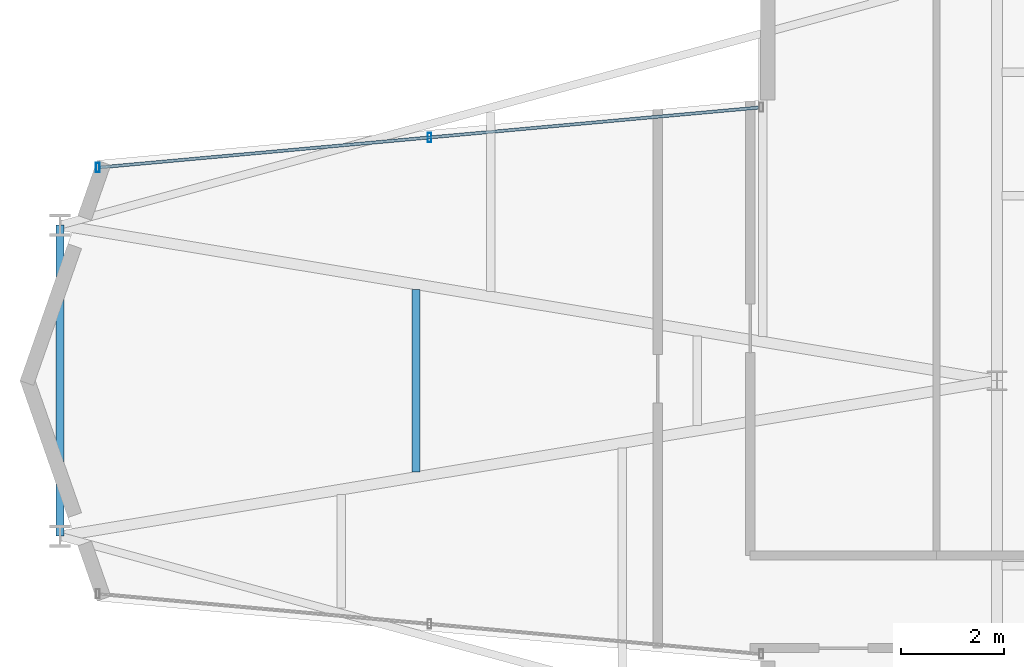
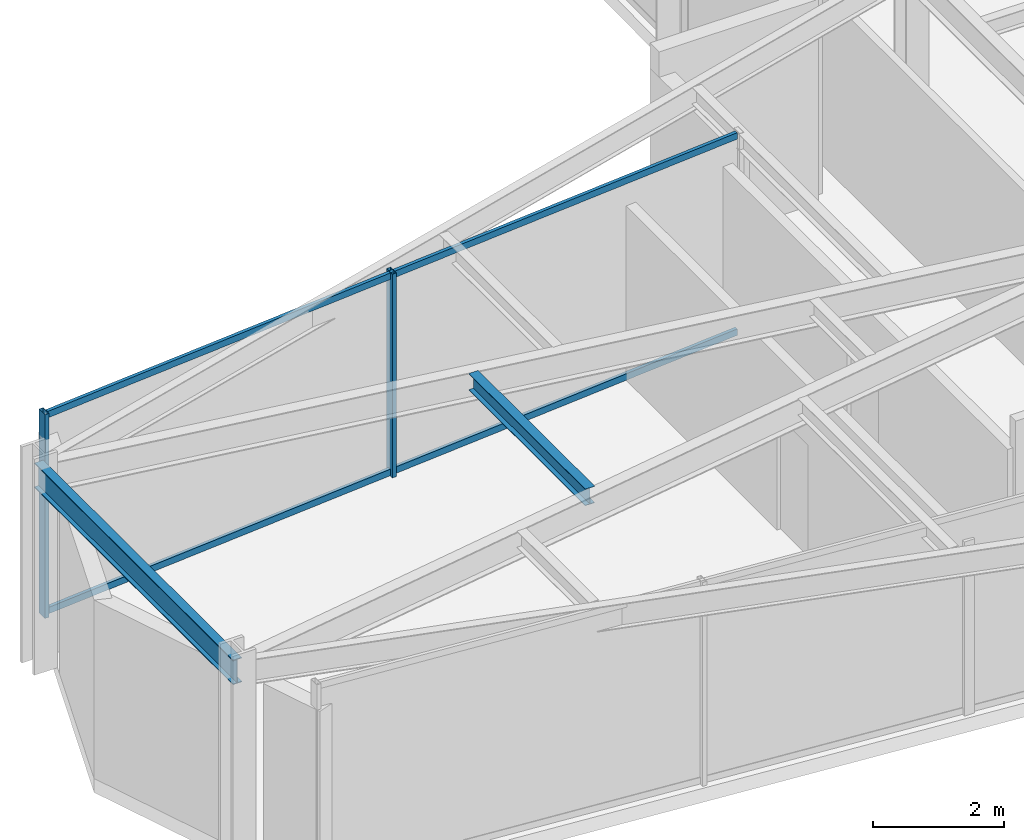
# One storey, part 9 of 23: 4 members, 2 beams, 1 element without a shape of its own.
"""IFC4 building model written with IfcOpenShell, lengths in metres."""

from ifc_helpers import new_model, si_unit, direction, frame, origin, origin_2d, place, context, subcontext, project, spatial, hollow_rectangle, i_section, extrude, material, layer, layer_set, material_profile, profile_set, type_object, element, aggregate, save


model = new_model("IFC4")

# Units and contexts
model_context = context("Model", 3, precision=1e-05, world=origin(), true_north=direction((0.0, 1.0)))
body_context = subcontext(model_context, "Body", "Model", "MODEL_VIEW")
ifc_project = project(units=[si_unit("LENGTHUNIT", "METRE"), si_unit("AREAUNIT", "SQUARE_METRE"), si_unit("VOLUMEUNIT", "CUBIC_METRE"), si_unit("PLANEANGLEUNIT", "RADIAN"), si_unit("MASSUNIT", "GRAM", prefix="KILO")], contexts=[model_context])

# Site, building, storey
site_placement = place(None, origin())
site = spatial("IfcSite", under=ifc_project, at=site_placement, CompositionType="ELEMENT")
building_placement = place(site_placement, origin())
building = spatial("IfcBuilding", under=site, at=building_placement, Name="Veymaron Broadcast Tower", CompositionType="ELEMENT")
storey_placement = place(building_placement, frame((0.0, 0.0, 195.89990234375)))
storey = spatial("IfcBuildingStorey", under=building, at=storey_placement, Name="L45", CompositionType="ELEMENT", Elevation=195.89990234375)

# Beams
ifc_material_1 = material(Name="Structural steel ASTM A992 Gr 50", Category="steel")
ifc_material_profile_1 = material_profile(ifc_material_1, i_section(OverallWidth=0.1650390625, OverallDepth=0.31005859375, WebThickness=0.005859375, FlangeThickness=0.009765625, at=origin_2d()), Name="W310X39")
ifc_profile_set_1 = profile_set([ifc_material_profile_1], Name="Structural steel ASTM A992 Gr 50")
beam_type_1 = type_object("IfcBeamType", Name="BM-JS3", PredefinedType="JOIST", material=ifc_profile_set_1)
beam_1_placement = place(storey_placement, frame((19.900390625, 22.224609375, 3.635009765625), z_axis=(0.0, 1.0, 0.0), x_axis=(-1.0, 0.0, 0.0)))
element("IfcBeam", 1, at=beam_1_placement, inside=storey, type_object=beam_type_1, Name="L45 Arm-A secondary joist 1M", PredefinedType="JOIST", context=body_context, shape_type="SweptSolid", body=[
    extrude(i_section(OverallWidth=0.1650390625, OverallDepth=0.31005859375, WebThickness=0.005859375, FlangeThickness=0.009765625, at=origin_2d()), origin(), (0.0, 0.0, 1.0), 3.55078125),
])
ifc_material_profile_2 = material_profile(ifc_material_1, i_section(OverallWidth=0.154052734375, OverallDepth=0.458984375, WebThickness=0.009033203125, FlangeThickness=0.015380859375, at=origin_2d()), Name="W460X68")
ifc_profile_set_2 = profile_set([ifc_material_profile_2], Name="Structural steel ASTM A992 Gr 50")
beam_type_2 = type_object("IfcBeamType", Name="BM-SP2", PredefinedType="SPANDREL", material=ifc_profile_set_2)
beam_2_placement = place(storey_placement, frame((12.97509765625, 20.97509765625, 3.560546875), z_axis=(0.0, 1.0, 0.0), x_axis=(-1.0, 0.0, 0.0)))
element("IfcBeam", 2, at=beam_2_placement, inside=storey, type_object=beam_type_2, Name="L45 primary structural floor girder", PredefinedType="SPANDREL", context=body_context, shape_type="SweptSolid", body=[
    extrude(i_section(OverallWidth=0.154052734375, OverallDepth=0.458984375, WebThickness=0.009033203125, FlangeThickness=0.015380859375, at=origin_2d()), origin(), (0.0, 0.0, 1.0), 6.0498046875),
])

# Curtain wall, members
ifc_material_2 = material(Name="Anodised aluminium AA 6063-T6 and laminated low-E dark glass", Category="aluminium")
ifc_layer = layer(ifc_material_2, 0.179931640625)
ifc_layer_set = layer_set([ifc_layer], Name="Anodised aluminium AA 6063-T6 and laminated low-E dark glass")
curtain_wall_type = type_object("IfcCurtainWallType", Name="CW-SYS-05", PredefinedType="NOTDEFINED", material=ifc_layer_set)
curtain_wall_placement = place(storey_placement, origin())
curtain_wall = element("IfcCurtainWall", 3, at=curtain_wall_placement, inside=storey, type_object=curtain_wall_type, Name="L45 dark-glass curtain wall CW-L45-E11-1", PredefinedType="NOTDEFINED")
ifc_material_3 = material(Name="Anodised aluminium AA 6063-T6", Category="aluminium")
ifc_material_profile_3 = material_profile(ifc_material_3, hollow_rectangle(XDim=0.074951171875, YDim=0.179931640625, WallThickness=0.0048828125, at=origin_2d()), Name="AL180X75X5")
ifc_profile_set_3 = profile_set([ifc_material_profile_3], Name="Anodised aluminium AA 6063-T6")
member_type_1 = type_object("IfcMemberType", Name="CW-MUL-02", PredefinedType="MULLION", material=ifc_profile_set_3)
member_1_placement = place(storey_placement, frame((20.16259765625, 28.729736328125, 0.0), z_axis=(0.0, 0.0, 1.0), x_axis=(1.0, 0.0, 0.0)))
member_1 = element("IfcMember", 4, at=member_1_placement, type_object=member_type_1, Name="CW-L45-E11-1 mullion 1", PredefinedType="MULLION", context=body_context, shape_type="SweptSolid", body=[
    extrude(hollow_rectangle(XDim=0.074951171875, YDim=0.179931640625, WallThickness=0.0048828125, at=origin_2d()), origin(), (0.0, 0.0, 1.0), 3.7900390625),
])
member_2_placement = place(storey_placement, frame((13.712646484375, 28.14404296875, 0.0), z_axis=(0.0, 0.0, 1.0), x_axis=(1.0, 0.0, 0.0)))
member_2 = element("IfcMember", 5, at=member_2_placement, type_object=member_type_1, Name="CW-L45-E11-1 mullion 2", PredefinedType="MULLION", context=body_context, shape_type="SweptSolid", body=[
    extrude(hollow_rectangle(XDim=0.074951171875, YDim=0.179931640625, WallThickness=0.0048828125, at=origin_2d()), origin(), (0.0, 0.0, 1.0), 3.7900390625),
])
ifc_material_profile_4 = material_profile(ifc_material_3, hollow_rectangle(XDim=0.06005859375, YDim=0.1201171875, WallThickness=0.00390625, at=origin_2d()), Name="AL120X60X4")
ifc_profile_set_4 = profile_set([ifc_material_profile_4], Name="Anodised aluminium AA 6063-T6")
member_type_2 = type_object("IfcMemberType", Name="CW-TRN-02", PredefinedType="USERDEFINED", material=ifc_profile_set_4)
member_3_placement = place(storey_placement, frame((26.56298828125, 29.310791015625, 0.070068359375), z_axis=(-0.995904253261, -0.090414148987, 0.0), x_axis=(0.090414148987, -0.995904253261, 0.0)))
member_3 = element("IfcMember", 6, at=member_3_placement, type_object=member_type_2, Name="CW-L45-E11-1 transom B", ObjectType="TRANSOM", PredefinedType="USERDEFINED", context=body_context, shape_type="SweptSolid", body=[
    extrude(hollow_rectangle(XDim=0.06005859375, YDim=0.1201171875, WallThickness=0.00390625, at=origin_2d()), origin(), (0.0, 0.0, 1.0), 12.853271484375),
])
member_4_placement = place(storey_placement, frame((26.56298828125, 29.310791015625, 3.72021484375), z_axis=(-0.995904253261, -0.090414148987, 0.0), x_axis=(0.090414148987, -0.995904253261, 0.0)))
member_4 = element("IfcMember", 7, at=member_4_placement, type_object=member_type_2, Name="CW-L45-E11-1 transom T", ObjectType="TRANSOM", PredefinedType="USERDEFINED", context=body_context, shape_type="SweptSolid", body=[
    extrude(hollow_rectangle(XDim=0.06005859375, YDim=0.1201171875, WallThickness=0.00390625, at=origin_2d()), origin(), (0.0, 0.0, 1.0), 12.853271484375),
])
aggregate(curtain_wall, [member_1, member_2, member_3, member_4])

save(model, "model.ifc")
